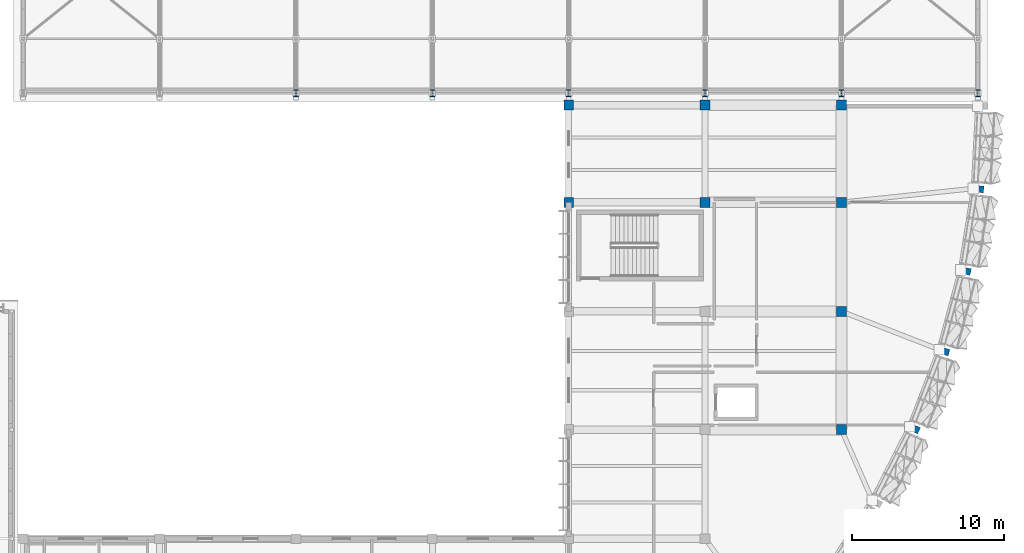
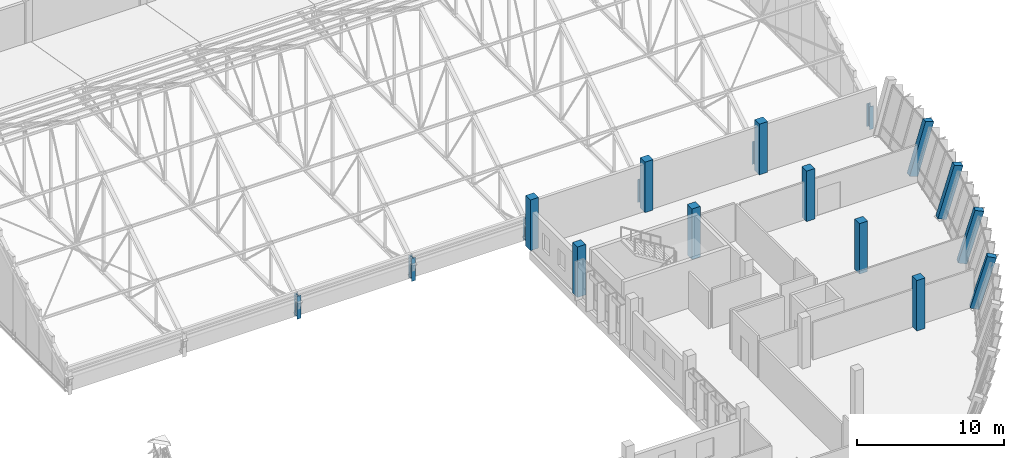
# One storey, part 6 of 182: 18 columns.
"""IFC4 building model written with IfcOpenShell, lengths in metres."""

from ifc_helpers import new_model, si_unit, direction, frame, origin, origin_2d, place, context, subcontext, project, spatial, rectangle, i_section, extrude, material, material_profile, profile_set, type_object, element, save


model = new_model("IFC4")

# Units and contexts
model_context = context("Model", 3, precision=1e-05, world=origin(), true_north=direction((0.0, 1.0)))
body_context = subcontext(model_context, "Body", "Model", "MODEL_VIEW")
ifc_project = project(units=[si_unit("LENGTHUNIT", "METRE"), si_unit("AREAUNIT", "SQUARE_METRE"), si_unit("VOLUMEUNIT", "CUBIC_METRE"), si_unit("PLANEANGLEUNIT", "RADIAN"), si_unit("MASSUNIT", "GRAM", prefix="KILO")], contexts=[model_context])

# Site, building, storey
site_placement = place(None, origin())
site = spatial("IfcSite", under=ifc_project, at=site_placement, CompositionType="ELEMENT")
building_placement = place(site_placement, origin())
building = spatial("IfcBuilding", under=site, at=building_placement, Name="Chiffa Square Polytechnic", CompositionType="ELEMENT")
storey_placement = place(building_placement, frame((0.0, 0.0, 9.60009765625)))
storey = spatial("IfcBuildingStorey", under=building, at=storey_placement, Name="L02", CompositionType="ELEMENT", Elevation=9.60009765625)

# Columns
ifc_material_1 = material(Name="Glulam GL32c", Category="wood")
ifc_material_profile_1 = material_profile(ifc_material_1, rectangle(XDim=0.449951171875, YDim=0.64990234375, at=origin_2d()), Name="GL32c 450x650")
ifc_profile_set_1 = profile_set([ifc_material_profile_1], Name="Glulam GL32c")
column_type_1 = type_object("IfcColumnType", Name="COL-RAKED-GL650", PredefinedType="USERDEFINED", material=ifc_profile_set_1)
column_placement = place(storey_placement, frame((170.7041015625, 36.199951171875, 0.0), z_axis=(0.248784424506, -0.110856728725, 0.962193897206), x_axis=(0.407014745296, 0.913421587829, 0.0)))
element("IfcColumn", 1, at=column_placement, inside=storey, type_object=column_type_1, Name="Outward-leaning glulam column CRK-V1-L02-14", ObjectType="RAKED COLUMN", PredefinedType="USERDEFINED", context=body_context, shape_type="SweptSolid", body=[
    extrude(rectangle(XDim=0.449951171875, YDim=0.64990234375, at=origin_2d()), origin(), (0.0, 0.0, 1.0), 4.364990234375),
])
for number, where, z_axis, x_axis, name in (
    (2, (172.655029296875, 41.281005859375, 0.0), (0.258866569039, -0.084070106583, 0.962247533961), (0.308881600704, 0.951100497711, 0.0), "Outward-leaning glulam column CRK-V1-L02-15"),
    (3, (174.06396484375, 46.5390625, 0.0), (0.266244780808, -0.05682871792, 0.962228773999), (0.208743277229, 0.977970472055, 0.0), "Outward-leaning glulam column CRK-V1-L02-16"),
    (4, (174.9150390625, 51.9150390625, 0.0), (0.270772210822, -0.028637754997, 0.962217381279), (0.105176661709, 0.994453553381, 0.0), "Outward-leaning glulam column CRK-V1-L02-17"),
):
    element("IfcColumn", number, at=place(storey_placement, frame(where, z_axis=z_axis, x_axis=x_axis)), inside=storey, type_object=column_type_1, Name=name, ObjectType="RAKED COLUMN", PredefinedType="USERDEFINED", context=body_context, shape_type="SweptSolid", body=[
        extrude(rectangle(XDim=0.449951171875, YDim=0.64990234375, at=origin_2d()), origin(), (0.0, 0.0, 1.0), 4.36474609375),
    ])
ifc_material_2 = material(Name="Concrete C40/50", Category="concrete")
ifc_material_profile_2 = material_profile(ifc_material_2, rectangle(XDim=0.64990234375, YDim=0.64990234375, at=origin_2d()), Name="RC 650x650")
ifc_profile_set_2 = profile_set([ifc_material_profile_2], Name="Concrete C40/50")
column_type_2 = type_object("IfcColumnType", Name="COL-RC-650", PredefinedType="COLUMN", material=ifc_profile_set_2)
for number, where, z_axis, x_axis, name in (
    (5, (148.199951171875, 51.0, 0.0), (0.0, 0.0, 1.0), (1.0, 0.0, 0.0), "Column C-V1-L02-1482-0510"),
    (6, (148.199951171875, 57.419921875, 0.0), (0.0, 0.0, 1.0), (1.0, 0.0, 0.0), "Column C-V1-L02-1482-0574"),
    (7, (157.199951171875, 51.0, 0.0), (0.0, 0.0, 1.0), (1.0, 0.0, 0.0), "Column C-V1-L02-1572-0510"),
    (8, (157.199951171875, 57.419921875, 0.0), (0.0, 0.0, 1.0), (1.0, 0.0, 0.0), "Column C-V1-L02-1572-0574"),
    (9, (166.199951171875, 36.0, 0.0), (0.0, 0.0, 1.0), (1.0, 0.0, 0.0), "Column C-V1-L02-1662-0360"),
    (10, (166.199951171875, 43.800048828125, 0.0), (0.0, 0.0, 1.0), (1.0, 0.0, 0.0), "Column C-V1-L02-1662-0438"),
    (11, (166.199951171875, 51.0, 0.0), (0.0, 0.0, 1.0), (1.0, 0.0, 0.0), "Column C-V1-L02-1662-0510"),
    (12, (166.199951171875, 57.419921875, 0.0), (0.0, 0.0, 1.0), (1.0, 0.0, 0.0), "Column C-V1-L02-1662-0574"),
):
    element("IfcColumn", number, at=place(storey_placement, frame(where, z_axis=z_axis, x_axis=x_axis)), inside=storey, type_object=column_type_2, Name=name, PredefinedType="COLUMN", context=body_context, shape_type="SweptSolid", body=[
        extrude(rectangle(XDim=0.64990234375, YDim=0.64990234375, at=origin_2d()), origin(), (0.0, 0.0, 1.0), 4.199951171875),
    ])
ifc_material_3 = material(Name="Steel S355", Category="steel")
ifc_material_profile_3 = material_profile(ifc_material_3, i_section(OverallWidth=0.300048828125, OverallDepth=0.449951171875, WebThickness=0.013916015625, FlangeThickness=0.02587890625, FilletRadius=0.027099609375, at=origin_2d()), Name="HEB 450")
ifc_profile_set_3 = profile_set([ifc_material_profile_3], Name="Steel S355")
column_type_3 = type_object("IfcColumnType", Name="COL-STL-HEB450", PredefinedType="COLUMN", material=ifc_profile_set_3)
for number, where, z_axis, x_axis, name in (
    (13, (130.199951171875, 58.199951171875, 0.0), (0.0, 0.0, 1.0), (1.0, 0.0, 0.0), "Workshop roof column C-V2-L02-1302-0582"),
    (14, (139.199951171875, 58.199951171875, 0.0), (0.0, 0.0, 1.0), (1.0, 0.0, 0.0), "Workshop roof column C-V2-L02-1392-0582"),
    (15, (148.199951171875, 58.199951171875, 0.0), (0.0, 0.0, 1.0), (1.0, 0.0, 0.0), "Workshop roof column C-V2-L02-1482-0582"),
    (16, (157.199951171875, 58.199951171875, 0.0), (0.0, 0.0, 1.0), (1.0, 0.0, 0.0), "Workshop roof column C-V2-L02-1572-0582"),
    (17, (166.199951171875, 58.199951171875, 0.0), (0.0, 0.0, 1.0), (1.0, 0.0, 0.0), "Workshop roof column C-V2-L02-1662-0582"),
    (18, (175.199951171875, 58.199951171875, 0.0), (0.0, 0.0, 1.0), (1.0, 0.0, 0.0), "Workshop roof column C-V2-L02-1752-0582"),
):
    element("IfcColumn", number, at=place(storey_placement, frame(where, z_axis=z_axis, x_axis=x_axis)), inside=storey, type_object=column_type_3, Name=name, PredefinedType="COLUMN", context=body_context, shape_type="SweptSolid", body=[
        extrude(i_section(OverallWidth=0.300048828125, OverallDepth=0.449951171875, WebThickness=0.013916015625, FlangeThickness=0.02587890625, FilletRadius=0.027099609375, at=origin_2d()), origin(), (0.0, 0.0, 1.0), 1.89990234375),
    ])

save(model, "model.ifc")
